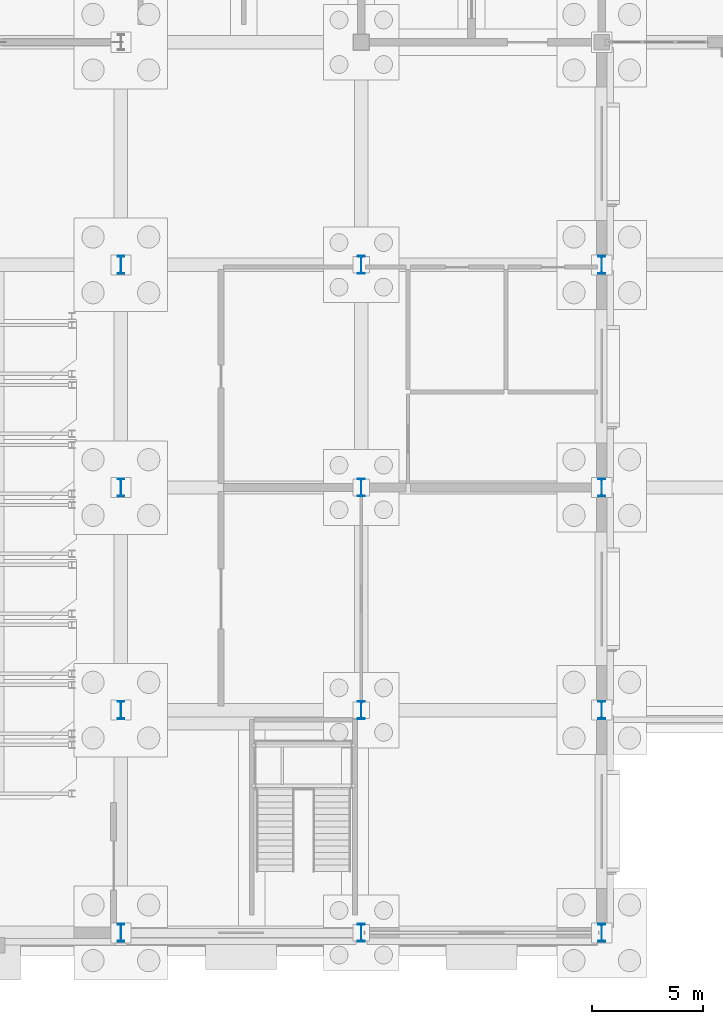
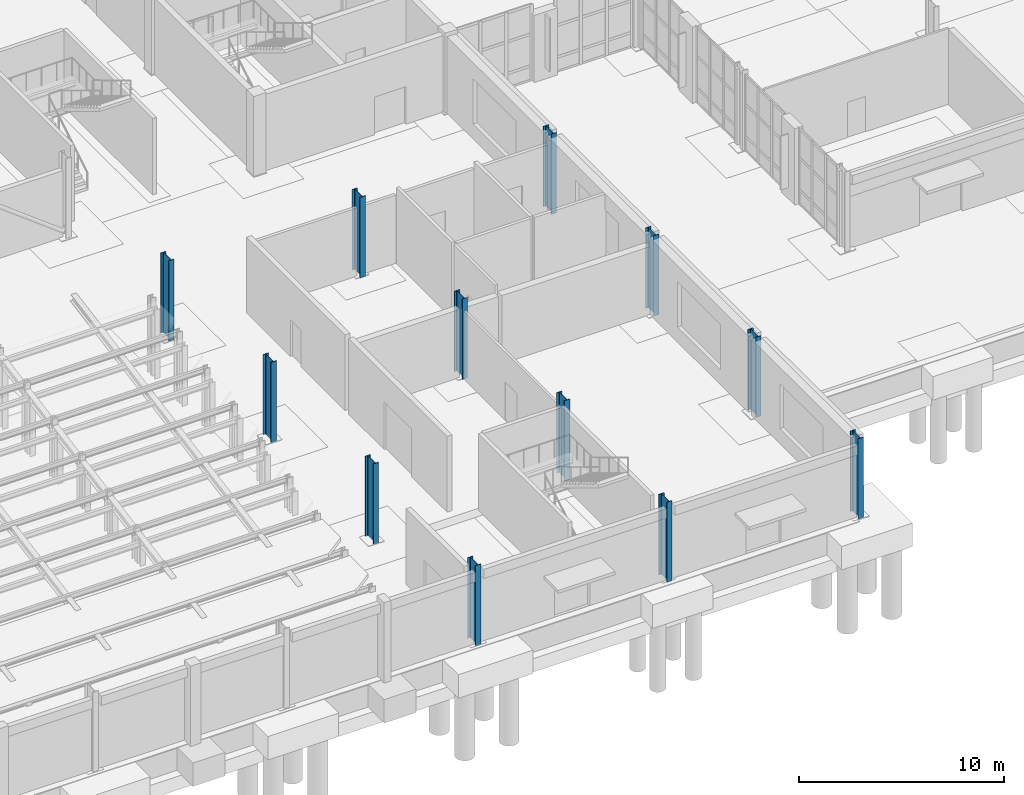
# One storey, part 9 of 73: 12 columns.
"""IFC4 building model written with IfcOpenShell, lengths in metres."""

from ifc_helpers import new_model, si_unit, direction, frame, origin, origin_2d, place, context, subcontext, project, spatial, i_section, extrude, material, material_profile, profile_set, type_object, element, save


model = new_model("IFC4")

# Units and contexts
model_context = context("Model", 3, precision=1e-05, world=origin(), true_north=direction((0.0, 1.0)))
body_context = subcontext(model_context, "Body", "Model", "MODEL_VIEW")
ifc_project = project(units=[si_unit("LENGTHUNIT", "METRE"), si_unit("AREAUNIT", "SQUARE_METRE"), si_unit("VOLUMEUNIT", "CUBIC_METRE"), si_unit("PLANEANGLEUNIT", "RADIAN"), si_unit("MASSUNIT", "GRAM", prefix="KILO")], contexts=[model_context])

# Site, building, storey
site_placement = place(None, origin())
site = spatial("IfcSite", under=ifc_project, at=site_placement, CompositionType="ELEMENT")
building_placement = place(site_placement, origin())
building = spatial("IfcBuilding", under=site, at=building_placement, Name="Tasgan Crest Museum", CompositionType="ELEMENT")
storey_placement = place(building_placement, origin())
storey = spatial("IfcBuildingStorey", under=building, at=storey_placement, Name="L00", CompositionType="ELEMENT", Elevation=0.0)

# Columns
ifc_material = material(Name="Steel S355K2", Category="steel")
ifc_material_profile = material_profile(ifc_material, i_section(OverallWidth=0.300048828125, OverallDepth=0.800048828125, WebThickness=0.017578125, FlangeThickness=0.032958984375, FilletRadius=0.030029296875, at=origin_2d()), Name="HEB 800")
ifc_profile_set = profile_set([ifc_material_profile], Name="Steel S355K2")
column_type = type_object("IfcColumnType", Name="COL-HEB800", PredefinedType="COLUMN", material=ifc_profile_set)
for number, where, z_axis, x_axis, name in (
    (1, (32.39990234375, 0.0, 0.0), (0.0, 0.0, 1.0), (1.0, 0.0, 0.0), "Column 4/A L00"),
    (2, (32.39990234375, 10.0, 0.0), (0.0, 0.0, 1.0), (1.0, 0.0, 0.0), "Column 4/B L00"),
    (3, (32.39990234375, 20.0, 0.0), (0.0, 0.0, 1.0), (1.0, 0.0, 0.0), "Column 4/C L00"),
    (4, (32.39990234375, 30.0, 0.0), (0.0, 0.0, 1.0), (1.0, 0.0, 0.0), "Column 4/D L00"),
    (5, (43.199951171875, 0.0, 0.0), (0.0, 0.0, 1.0), (1.0, 0.0, 0.0), "Column 5/A L00"),
    (6, (43.199951171875, 10.0, 0.0), (0.0, 0.0, 1.0), (1.0, 0.0, 0.0), "Column 5/B L00"),
    (7, (43.199951171875, 20.0, 0.0), (0.0, 0.0, 1.0), (1.0, 0.0, 0.0), "Column 5/C L00"),
    (8, (43.199951171875, 30.0, 0.0), (0.0, 0.0, 1.0), (1.0, 0.0, 0.0), "Column 5/D L00"),
    (9, (54.0, 0.0, 0.0), (0.0, 0.0, 1.0), (1.0, 0.0, 0.0), "Column 6/A L00"),
    (10, (54.0, 10.0, 0.0), (0.0, 0.0, 1.0), (1.0, 0.0, 0.0), "Column 6/B L00"),
    (11, (54.0, 20.0, 0.0), (0.0, 0.0, 1.0), (1.0, 0.0, 0.0), "Column 6/C L00"),
    (12, (54.0, 30.0, 0.0), (0.0, 0.0, 1.0), (1.0, 0.0, 0.0), "Column 6/D L00"),
):
    element("IfcColumn", number, at=place(storey_placement, frame(where, z_axis=z_axis, x_axis=x_axis)), inside=storey, type_object=column_type, Name=name, PredefinedType="COLUMN", context=body_context, shape_type="SweptSolid", body=[
        extrude(i_section(OverallWidth=0.300048828125, OverallDepth=0.800048828125, WebThickness=0.017578125, FlangeThickness=0.032958984375, FilletRadius=0.030029296875, at=origin_2d()), origin(), (0.0, 0.0, 1.0), 4.800048828125),
    ])

save(model, "model.ifc")
